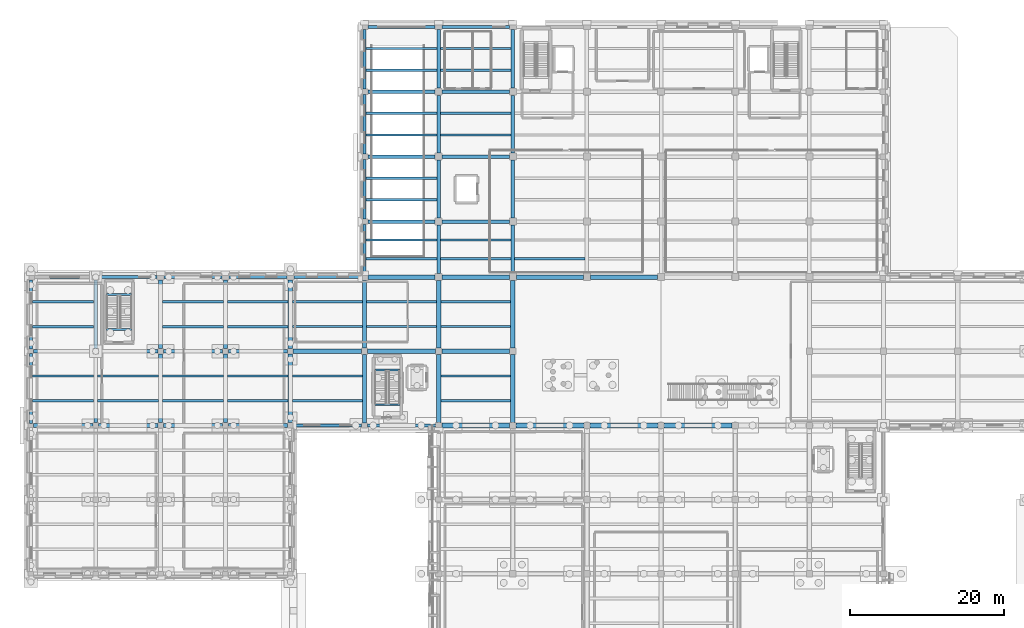
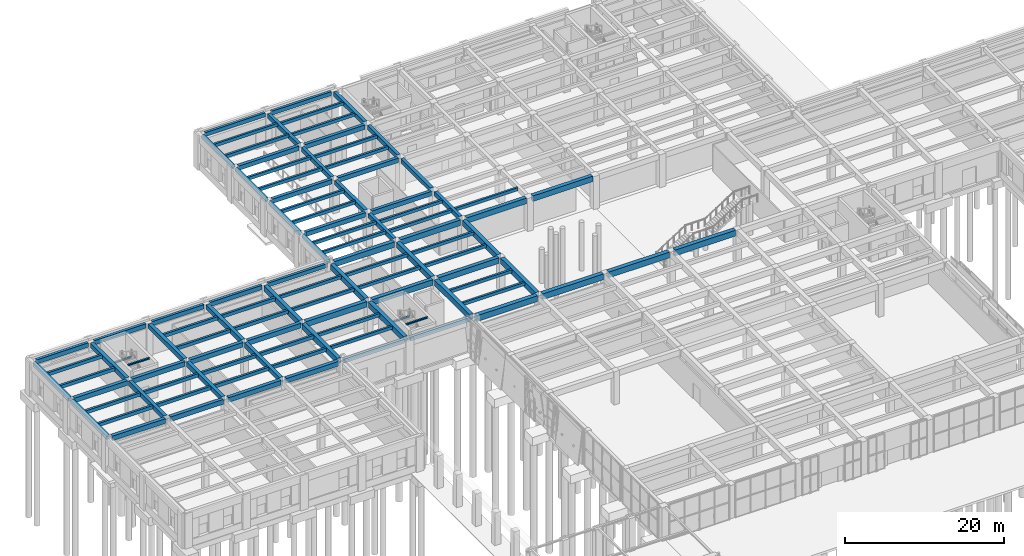
# One storey, part 21 of 51: 105 beams.
"""IFC4 building model written with IfcOpenShell, lengths in metres."""

from ifc_helpers import new_model, si_unit, direction, frame, origin, origin_2d, place, context, subcontext, project, spatial, rectangle, i_section, extrude, material, material_profile, profile_set, type_object, element, save


model = new_model("IFC4")

# Units and contexts
model_context = context("Model", 3, precision=1e-05, world=origin(), true_north=direction((0.0, 1.0)))
body_context = subcontext(model_context, "Body", "Model", "MODEL_VIEW")
ifc_project = project(units=[si_unit("LENGTHUNIT", "METRE"), si_unit("AREAUNIT", "SQUARE_METRE"), si_unit("VOLUMEUNIT", "CUBIC_METRE"), si_unit("PLANEANGLEUNIT", "RADIAN"), si_unit("MASSUNIT", "GRAM", prefix="KILO")], contexts=[model_context])

# Site, building, storey
site_placement = place(None, origin())
site = spatial("IfcSite", under=ifc_project, at=site_placement, CompositionType="ELEMENT")
building_placement = place(site_placement, origin())
building = spatial("IfcBuilding", under=site, at=building_placement, Name="Bempovik Park Faculty of Sciences", CompositionType="ELEMENT")
storey_placement = place(building_placement, origin())
storey = spatial("IfcBuildingStorey", under=building, at=storey_placement, Name="L00", CompositionType="ELEMENT", Elevation=0.0)

# Beams
ifc_material_1 = material(Name="Concrete C35/45", Category="concrete")
ifc_material_profile_1 = material_profile(ifc_material_1, rectangle(XDim=0.320068359375, YDim=0.52001953125, at=origin_2d()), Name="RC 320x520")
ifc_profile_set_1 = profile_set([ifc_material_profile_1], Name="Concrete C35/45")
beam_type_1 = type_object("IfcBeamType", Name="B-028 RC 320x520", PredefinedType="JOIST", material=ifc_profile_set_1)
for number, where, z_axis, x_axis, name in (
    (1, (7.406005859375, 71.0, 4.820068359375), (1.0, 0.0, 0.0), (0.0, 1.0, 0.0), "L00 Secondary Joist (7.2-15.6, y=71.00)"),
    (2, (7.406005859375, 74.199951171875, 4.820068359375), (1.0, 0.0, 0.0), (0.0, 1.0, 0.0), "L00 Secondary Joist (7.2-15.6, y=74.20)"),
    (3, (7.406005859375, 80.60009765625, 4.820068359375), (1.0, 0.0, 0.0), (0.0, 1.0, 0.0), "L00 Secondary Joist (7.2-15.6, y=80.60)"),
    (4, (7.406005859375, 83.800048828125, 4.820068359375), (1.0, 0.0, 0.0), (0.0, 1.0, 0.0), "L00 Secondary Joist (7.2-15.6, y=83.80)"),
):
    element("IfcBeam", number, at=place(storey_placement, frame(where, z_axis=z_axis, x_axis=x_axis)), inside=storey, type_object=beam_type_1, Name=name, PredefinedType="JOIST", context=body_context, shape_type="SweptSolid", body=[
        extrude(rectangle(XDim=0.320068359375, YDim=0.52001953125, at=origin_2d()), origin(), (0.0, 0.0, 1.0), 7.93798828125),
    ])
for number, where, z_axis, x_axis, name in (
    (5, (15.85595703125, 71.0, 4.820068359375), (1.0, 0.0, 0.0), (0.0, 1.0, 0.0), "L00 Secondary Joist (15.6-24.0, y=71.00)"),
    (6, (15.85595703125, 74.199951171875, 4.820068359375), (1.0, 0.0, 0.0), (0.0, 1.0, 0.0), "L00 Secondary Joist (15.6-24.0, y=74.20)"),
    (7, (24.256103515625, 71.0, 4.820068359375), (1.0, 0.0, 0.0), (0.0, 1.0, 0.0), "L00 Secondary Joist (24.0-32.4, y=71.00)"),
    (8, (24.256103515625, 74.199951171875, 4.820068359375), (1.0, 0.0, 0.0), (0.0, 1.0, 0.0), "L00 Secondary Joist (24.0-32.4, y=74.20)"),
    (9, (24.256103515625, 80.60009765625, 4.820068359375), (1.0, 0.0, 0.0), (0.0, 1.0, 0.0), "L00 Secondary Joist (24.0-32.4, y=80.60)"),
    (10, (24.256103515625, 83.800048828125, 4.820068359375), (1.0, 0.0, 0.0), (0.0, 1.0, 0.0), "L00 Secondary Joist (24.0-32.4, y=83.80)"),
):
    element("IfcBeam", number, at=place(storey_placement, frame(where, z_axis=z_axis, x_axis=x_axis)), inside=storey, type_object=beam_type_1, Name=name, PredefinedType="JOIST", context=body_context, shape_type="SweptSolid", body=[
        extrude(rectangle(XDim=0.320068359375, YDim=0.52001953125, at=origin_2d()), origin(), (0.0, 0.0, 1.0), 7.887939453125),
    ])
for number, where, z_axis, x_axis, name in (
    (11, (32.656005859375, 71.0, 4.820068359375), (1.0, 0.0, 0.0), (0.0, 1.0, 0.0), "L00 Secondary Joist (32.4-40.8, y=71.00)"),
    (12, (32.656005859375, 74.199951171875, 4.820068359375), (1.0, 0.0, 0.0), (0.0, 1.0, 0.0), "L00 Secondary Joist (32.4-40.8, y=74.20)"),
    (13, (32.656005859375, 80.60009765625, 4.820068359375), (1.0, 0.0, 0.0), (0.0, 1.0, 0.0), "L00 Secondary Joist (32.4-40.8, y=80.60)"),
    (14, (32.656005859375, 83.800048828125, 4.820068359375), (1.0, 0.0, 0.0), (0.0, 1.0, 0.0), "L00 Secondary Joist (32.4-40.8, y=83.80)"),
):
    element("IfcBeam", number, at=place(storey_placement, frame(where, z_axis=z_axis, x_axis=x_axis)), inside=storey, type_object=beam_type_1, Name=name, PredefinedType="JOIST", context=body_context, shape_type="SweptSolid", body=[
        extrude(rectangle(XDim=0.320068359375, YDim=0.52001953125, at=origin_2d()), origin(), (0.0, 0.0, 1.0), 7.863037109375),
    ])
ifc_material_profile_2 = material_profile(ifc_material_1, rectangle(XDim=0.3798828125, YDim=0.60009765625, at=origin_2d()), Name="RC 380x600")
ifc_profile_set_2 = profile_set([ifc_material_profile_2], Name="Concrete C35/45")
beam_type_2 = type_object("IfcBeamType", Name="B-032 RC 380x600", PredefinedType="SPANDREL", material=ifc_profile_set_2)
beam_1_placement = place(storey_placement, frame((41.166015625, 67.800048828125, 4.780029296875), z_axis=(1.0, 0.0, 0.0), x_axis=(0.0, 1.0, 0.0)))
element("IfcBeam", 15, at=beam_1_placement, inside=storey, type_object=beam_type_2, Name="L00 Beam X (40.8-50.4, y=67.8)", PredefinedType="SPANDREL", context=body_context, shape_type="SweptSolid", body=[
    extrude(rectangle(XDim=0.3798828125, YDim=0.60009765625, at=origin_2d()), origin(), (0.0, 0.0, 1.0), 8.827880859375),
])
beam_2_placement = place(storey_placement, frame((50.805908203125, 67.800048828125, 4.780029296875), z_axis=(1.0, 0.0, 0.0), x_axis=(0.0, 1.0, 0.0)))
element("IfcBeam", 16, at=beam_2_placement, inside=storey, type_object=beam_type_2, Name="L00 Beam X (50.4-60.0, y=67.8)", PredefinedType="SPANDREL", context=body_context, shape_type="SweptSolid", body=[
    extrude(rectangle(XDim=0.3798828125, YDim=0.60009765625, at=origin_2d()), origin(), (0.0, 0.0, 1.0), 8.7880859375),
])
for number, where, z_axis, x_axis, name in (
    (17, (41.256103515625, 87.0, 4.780029296875), (1.0, 0.0, 0.0), (0.0, 1.0, 0.0), "L00 Beam X (40.8-50.4, y=87.0)"),
    (18, (50.85595703125, 119.39990234375, 4.8798828125), (1.0, 0.0, 0.0), (0.0, 1.0, 0.0), "L00 Beam X (50.4-60.0, y=119.4)"),
    (19, (60.4560546875, 119.39990234375, 4.780029296875), (1.0, 0.0, 0.0), (0.0, 1.0, 0.0), "L00 Beam X (60.0-69.6, y=119.4)"),
):
    element("IfcBeam", number, at=place(storey_placement, frame(where, z_axis=z_axis, x_axis=x_axis)), inside=storey, type_object=beam_type_2, Name=name, PredefinedType="SPANDREL", context=body_context, shape_type="SweptSolid", body=[
        extrude(rectangle(XDim=0.3798828125, YDim=0.60009765625, at=origin_2d()), origin(), (0.0, 0.0, 1.0), 8.68798828125),
    ])
beam_3_placement = place(storey_placement, frame((50.39990234375, 87.4560546875, 4.8798828125), z_axis=(0.0, 1.0, 0.0), x_axis=(-1.0, 0.0, 0.0)))
element("IfcBeam", 20, at=beam_3_placement, inside=storey, type_object=beam_type_2, Name="L00 Beam Y (x=50.4, 87.0-94.2)", PredefinedType="SPANDREL", context=body_context, shape_type="SweptSolid", body=[
    extrude(rectangle(XDim=0.3798828125, YDim=0.60009765625, at=origin_2d()), origin(), (0.0, 0.0, 1.0), 6.387939453125),
])
for number, where, z_axis, x_axis, name in (
    (21, (50.39990234375, 94.555908203125, 4.8798828125), (0.0, 1.0, 0.0), (-1.0, 0.0, 0.0), "L00 Beam Y (x=50.4, 94.2-102.6)"),
    (22, (50.39990234375, 102.9560546875, 4.8798828125), (0.0, 1.0, 0.0), (-1.0, 0.0, 0.0), "L00 Beam Y (x=50.4, 102.6-111.0)"),
    (23, (50.39990234375, 111.35595703125, 4.8798828125), (0.0, 1.0, 0.0), (-1.0, 0.0, 0.0), "L00 Beam Y (x=50.4, 111.0-119.4)"),
):
    element("IfcBeam", number, at=place(storey_placement, frame(where, z_axis=z_axis, x_axis=x_axis)), inside=storey, type_object=beam_type_2, Name=name, PredefinedType="SPANDREL", context=body_context, shape_type="SweptSolid", body=[
        extrude(rectangle(XDim=0.3798828125, YDim=0.60009765625, at=origin_2d()), origin(), (0.0, 0.0, 1.0), 7.68798828125),
    ])
ifc_material_profile_3 = material_profile(ifc_material_1, rectangle(XDim=0.300048828125, YDim=0.47998046875, at=origin_2d()), Name="RC 300x480")
ifc_profile_set_3 = profile_set([ifc_material_profile_3], Name="Concrete C35/45")
beam_type_3 = type_object("IfcBeamType", Name="B-039 RC 300x480", PredefinedType="JOIST", material=ifc_profile_set_3)
for number, where, z_axis, x_axis, name in (
    (24, (41.0810546875, 71.0, 4.840087890625), (1.0, 0.0, 0.0), (0.0, 1.0, 0.0), "L00 Secondary Joist (40.8-50.4, y=71.00)"),
    (25, (41.0810546875, 74.199951171875, 4.840087890625), (1.0, 0.0, 0.0), (0.0, 1.0, 0.0), "L00 Secondary Joist (40.8-50.4, y=74.20)"),
    (26, (41.0810546875, 80.60009765625, 4.840087890625), (1.0, 0.0, 0.0), (0.0, 1.0, 0.0), "L00 Secondary Joist (40.8-50.4, y=80.60)"),
    (27, (41.0810546875, 83.800048828125, 4.840087890625), (1.0, 0.0, 0.0), (0.0, 1.0, 0.0), "L00 Secondary Joist (40.8-50.4, y=83.80)"),
):
    element("IfcBeam", number, at=place(storey_placement, frame(where, z_axis=z_axis, x_axis=x_axis)), inside=storey, type_object=beam_type_3, Name=name, PredefinedType="JOIST", context=body_context, shape_type="SweptSolid", body=[
        extrude(rectangle(XDim=0.300048828125, YDim=0.47998046875, at=origin_2d()), origin(), (0.0, 0.0, 1.0), 9.037841796875),
    ])
for number, where, z_axis, x_axis, name in (
    (28, (50.680908203125, 80.60009765625, 4.840087890625), (1.0, 0.0, 0.0), (0.0, 1.0, 0.0), "L00 Secondary Joist (50.4-60.0, y=80.60)"),
    (29, (50.680908203125, 83.800048828125, 4.840087890625), (1.0, 0.0, 0.0), (0.0, 1.0, 0.0), "L00 Secondary Joist (50.4-60.0, y=83.80)"),
):
    element("IfcBeam", number, at=place(storey_placement, frame(where, z_axis=z_axis, x_axis=x_axis)), inside=storey, type_object=beam_type_3, Name=name, PredefinedType="JOIST", context=body_context, shape_type="SweptSolid", body=[
        extrude(rectangle(XDim=0.300048828125, YDim=0.47998046875, at=origin_2d()), origin(), (0.0, 0.0, 1.0), 9.0380859375),
    ])
for number, where, z_axis, x_axis, name in (
    (30, (50.595947265625, 89.39990234375, 4.93994140625), (1.0, 0.0, 0.0), (0.0, 1.0, 0.0), "L00 Secondary Joist (50.4-60.0, y=89.40)"),
    (31, (50.595947265625, 91.800048828125, 4.93994140625), (1.0, 0.0, 0.0), (0.0, 1.0, 0.0), "L00 Secondary Joist (50.4-60.0, y=91.80)"),
    (32, (50.595947265625, 97.0, 4.93994140625), (1.0, 0.0, 0.0), (0.0, 1.0, 0.0), "L00 Secondary Joist (50.4-60.0, y=97.00)"),
    (33, (50.595947265625, 99.800048828125, 4.93994140625), (1.0, 0.0, 0.0), (0.0, 1.0, 0.0), "L00 Secondary Joist (50.4-60.0, y=99.80)"),
    (34, (50.595947265625, 105.39990234375, 4.93994140625), (1.0, 0.0, 0.0), (0.0, 1.0, 0.0), "L00 Secondary Joist (50.4-60.0, y=105.40)"),
    (35, (50.595947265625, 108.199951171875, 4.93994140625), (1.0, 0.0, 0.0), (0.0, 1.0, 0.0), "L00 Secondary Joist (50.4-60.0, y=108.20)"),
    (36, (50.595947265625, 113.800048828125, 4.93994140625), (1.0, 0.0, 0.0), (0.0, 1.0, 0.0), "L00 Secondary Joist (50.4-60.0, y=113.80)"),
    (37, (50.595947265625, 116.60009765625, 4.93994140625), (1.0, 0.0, 0.0), (0.0, 1.0, 0.0), "L00 Secondary Joist (50.4-60.0, y=116.60)"),
):
    element("IfcBeam", number, at=place(storey_placement, frame(where, z_axis=z_axis, x_axis=x_axis)), inside=storey, type_object=beam_type_3, Name=name, PredefinedType="JOIST", context=body_context, shape_type="SweptSolid", body=[
        extrude(rectangle(XDim=0.300048828125, YDim=0.47998046875, at=origin_2d()), origin(), (0.0, 0.0, 1.0), 9.173095703125),
    ])
for number, where, z_axis, x_axis, name in (
    (38, (60.281005859375, 71.0, 4.840087890625), (1.0, 0.0, 0.0), (0.0, 1.0, 0.0), "L00 Secondary Joist (60.0-69.6, y=71.00)"),
    (39, (60.281005859375, 74.199951171875, 4.840087890625), (1.0, 0.0, 0.0), (0.0, 1.0, 0.0), "L00 Secondary Joist (60.0-69.6, y=74.20)"),
    (40, (60.281005859375, 80.60009765625, 4.840087890625), (1.0, 0.0, 0.0), (0.0, 1.0, 0.0), "L00 Secondary Joist (60.0-69.6, y=80.60)"),
    (41, (60.281005859375, 83.800048828125, 4.840087890625), (1.0, 0.0, 0.0), (0.0, 1.0, 0.0), "L00 Secondary Joist (60.0-69.6, y=83.80)"),
):
    element("IfcBeam", number, at=place(storey_placement, frame(where, z_axis=z_axis, x_axis=x_axis)), inside=storey, type_object=beam_type_3, Name=name, PredefinedType="JOIST", context=body_context, shape_type="SweptSolid", body=[
        extrude(rectangle(XDim=0.300048828125, YDim=0.47998046875, at=origin_2d()), origin(), (0.0, 0.0, 1.0), 9.0380859375),
    ])
for number, where, z_axis, x_axis, name in (
    (42, (60.23095703125, 89.39990234375, 4.840087890625), (1.0, 0.0, 0.0), (0.0, 1.0, 0.0), "L00 Secondary Joist (60.0-69.6, y=89.40)"),
    (43, (60.23095703125, 91.800048828125, 4.840087890625), (1.0, 0.0, 0.0), (0.0, 1.0, 0.0), "L00 Secondary Joist (60.0-69.6, y=91.80)"),
    (44, (60.23095703125, 105.39990234375, 4.840087890625), (1.0, 0.0, 0.0), (0.0, 1.0, 0.0), "L00 Secondary Joist (60.0-69.6, y=105.40)"),
    (45, (60.23095703125, 108.199951171875, 4.840087890625), (1.0, 0.0, 0.0), (0.0, 1.0, 0.0), "L00 Secondary Joist (60.0-69.6, y=108.20)"),
    (46, (60.23095703125, 113.800048828125, 4.840087890625), (1.0, 0.0, 0.0), (0.0, 1.0, 0.0), "L00 Secondary Joist (60.0-69.6, y=113.80)"),
    (47, (60.23095703125, 116.60009765625, 4.840087890625), (1.0, 0.0, 0.0), (0.0, 1.0, 0.0), "L00 Secondary Joist (60.0-69.6, y=116.60)"),
    (48, (69.8310546875, 89.39990234375, 4.840087890625), (1.0, 0.0, 0.0), (0.0, 1.0, 0.0), "L00 Secondary Joist (69.6-79.2, y=89.40)"),
):
    element("IfcBeam", number, at=place(storey_placement, frame(where, z_axis=z_axis, x_axis=x_axis)), inside=storey, type_object=beam_type_3, Name=name, PredefinedType="JOIST", context=body_context, shape_type="SweptSolid", body=[
        extrude(rectangle(XDim=0.300048828125, YDim=0.47998046875, at=origin_2d()), origin(), (0.0, 0.0, 1.0), 9.137939453125),
    ])
ifc_material_2 = material(Name="Steel S355", Category="steel")
ifc_material_profile_4 = material_profile(ifc_material_2, i_section(OverallWidth=0.239990234375, OverallDepth=0.22998046875, WebThickness=0.007568359375, FlangeThickness=0.011962890625, at=origin_2d()), Name="HEA 240")
ifc_profile_set_4 = profile_set([ifc_material_profile_4], Name="Steel S355")
beam_type_4 = type_object("IfcBeamType", Name="B-070 HEA 240", PredefinedType="BEAM", material=ifc_profile_set_4)
for number, where, z_axis, x_axis, name in (
    (49, (17.006103515625, 84.74365234375, 2.385009765625), (1.0, 0.0, 0.0), (0.0, 1.0, 0.0), "L00 ST-3 Half-Landing Trimmer Beam"),
    (50, (17.006103515625, 80.22509765625, 4.965087890625), (1.0, 0.0, 0.0), (0.0, 1.0, 0.0), "L01 ST-3 Floor Landing Trimmer Beam"),
    (51, (51.756103515625, 74.99365234375, 2.385009765625), (1.0, 0.0, 0.0), (0.0, 1.0, 0.0), "L00 ST-4 Half-Landing Trimmer Beam"),
    (52, (51.756103515625, 70.47509765625, 4.965087890625), (1.0, 0.0, 0.0), (0.0, 1.0, 0.0), "L01 ST-4 Floor Landing Trimmer Beam"),
):
    element("IfcBeam", number, at=place(storey_placement, frame(where, z_axis=z_axis, x_axis=x_axis)), inside=storey, type_object=beam_type_4, Name=name, PredefinedType="BEAM", context=body_context, shape_type="SweptSolid", body=[
        extrude(i_section(OverallWidth=0.239990234375, OverallDepth=0.22998046875, WebThickness=0.007568359375, FlangeThickness=0.011962890625, at=origin_2d()), origin(), (0.0, 0.0, 1.0), 3.23779296875),
    ])
ifc_material_3 = material(Name="Concrete C40/50", Category="concrete")
ifc_material_profile_5 = material_profile(ifc_material_3, rectangle(XDim=0.550048828125, YDim=0.85009765625, at=origin_2d()), Name="RC 550x850")
ifc_profile_set_5 = profile_set([ifc_material_profile_5], Name="Concrete C40/50")
beam_type_5 = type_object("IfcBeamType", Name="B-080 RC 550x850", PredefinedType="BEAM", material=ifc_profile_set_5)
beam_4_placement = place(storey_placement, frame((41.166015625, 77.39990234375, 4.655029296875), z_axis=(1.0, 0.0, 0.0), x_axis=(0.0, 1.0, 0.0)))
element("IfcBeam", 53, at=beam_4_placement, inside=storey, type_object=beam_type_5, Name="L00 Beam X (40.8-50.4, y=77.4)", PredefinedType="BEAM", context=body_context, shape_type="SweptSolid", body=[
    extrude(rectangle(XDim=0.550048828125, YDim=0.85009765625, at=origin_2d()), origin(), (0.0, 0.0, 1.0), 8.827880859375),
])
for number, where, z_axis, x_axis, name in (
    (54, (50.805908203125, 77.39990234375, 4.655029296875), (1.0, 0.0, 0.0), (0.0, 1.0, 0.0), "L00 Beam X (50.4-60.0, y=77.4)"),
    (55, (60.406005859375, 77.39990234375, 4.655029296875), (1.0, 0.0, 0.0), (0.0, 1.0, 0.0), "L00 Beam X (60.0-69.6, y=77.4)"),
):
    element("IfcBeam", number, at=place(storey_placement, frame(where, z_axis=z_axis, x_axis=x_axis)), inside=storey, type_object=beam_type_5, Name=name, PredefinedType="BEAM", context=body_context, shape_type="SweptSolid", body=[
        extrude(rectangle(XDim=0.550048828125, YDim=0.85009765625, at=origin_2d()), origin(), (0.0, 0.0, 1.0), 8.7880859375),
    ])
for number, where, z_axis, x_axis, name in (
    (56, (50.85595703125, 87.0, 4.655029296875), (1.0, 0.0, 0.0), (0.0, 1.0, 0.0), "L00 Beam X (50.4-60.0, y=87.0)"),
    (57, (60.4560546875, 87.0, 4.655029296875), (1.0, 0.0, 0.0), (0.0, 1.0, 0.0), "L00 Beam X (60.0-69.6, y=87.0)"),
    (58, (70.055908203125, 87.0, 4.655029296875), (1.0, 0.0, 0.0), (0.0, 1.0, 0.0), "L00 Beam X (69.6-79.2, y=87.0)"),
    (59, (79.656005859375, 87.0, 4.655029296875), (1.0, 0.0, 0.0), (0.0, 1.0, 0.0), "L00 Beam X (79.2-88.8, y=87.0)"),
):
    element("IfcBeam", number, at=place(storey_placement, frame(where, z_axis=z_axis, x_axis=x_axis)), inside=storey, type_object=beam_type_5, Name=name, PredefinedType="BEAM", context=body_context, shape_type="SweptSolid", body=[
        extrude(rectangle(XDim=0.550048828125, YDim=0.85009765625, at=origin_2d()), origin(), (0.0, 0.0, 1.0), 8.68798828125),
    ])
beam_5_placement = place(storey_placement, frame((40.800048828125, 68.166015625, 4.655029296875), z_axis=(0.0, 1.0, 0.0), x_axis=(-1.0, 0.0, 0.0)))
element("IfcBeam", 60, at=beam_5_placement, inside=storey, type_object=beam_type_5, Name="L00 Beam Y (x=40.8, 67.8-77.4)", PredefinedType="BEAM", context=body_context, shape_type="SweptSolid", body=[
    extrude(rectangle(XDim=0.550048828125, YDim=0.85009765625, at=origin_2d()), origin(), (0.0, 0.0, 1.0), 8.867919921875),
])
beam_6_placement = place(storey_placement, frame((40.800048828125, 77.76611328125, 4.655029296875), z_axis=(0.0, 1.0, 0.0), x_axis=(-1.0, 0.0, 0.0)))
element("IfcBeam", 61, at=beam_6_placement, inside=storey, type_object=beam_type_5, Name="L00 Beam Y (x=40.8, 77.4-87.0)", PredefinedType="BEAM", context=body_context, shape_type="SweptSolid", body=[
    extrude(rectangle(XDim=0.550048828125, YDim=0.85009765625, at=origin_2d()), origin(), (0.0, 0.0, 1.0), 8.8779296875),
])
beam_7_placement = place(storey_placement, frame((50.39990234375, 68.10595703125, 4.655029296875), z_axis=(0.0, 1.0, 0.0), x_axis=(-1.0, 0.0, 0.0)))
element("IfcBeam", 62, at=beam_7_placement, inside=storey, type_object=beam_type_5, Name="L00 Beam Y (x=50.4, 67.8-77.4)", PredefinedType="BEAM", context=body_context, shape_type="SweptSolid", body=[
    extrude(rectangle(XDim=0.550048828125, YDim=0.85009765625, at=origin_2d()), origin(), (0.0, 0.0, 1.0), 8.887939453125),
])
beam_8_placement = place(storey_placement, frame((50.39990234375, 77.805908203125, 4.655029296875), z_axis=(0.0, 1.0, 0.0), x_axis=(-1.0, 0.0, 0.0)))
element("IfcBeam", 63, at=beam_8_placement, inside=storey, type_object=beam_type_5, Name="L00 Beam Y (x=50.4, 77.4-87.0)", PredefinedType="BEAM", context=body_context, shape_type="SweptSolid", body=[
    extrude(rectangle(XDim=0.550048828125, YDim=0.85009765625, at=origin_2d()), origin(), (0.0, 0.0, 1.0), 8.738037109375),
])
beam_9_placement = place(storey_placement, frame((60.0, 68.2060546875, 4.655029296875), z_axis=(0.0, 1.0, 0.0), x_axis=(-1.0, 0.0, 0.0)))
element("IfcBeam", 64, at=beam_9_placement, inside=storey, type_object=beam_type_5, Name="L00 Beam Y (x=60.0, 67.8-77.4)", PredefinedType="BEAM", context=body_context, shape_type="SweptSolid", body=[
    extrude(rectangle(XDim=0.550048828125, YDim=0.85009765625, at=origin_2d()), origin(), (0.0, 0.0, 1.0), 8.787841796875),
])
beam_10_placement = place(storey_placement, frame((60.0, 77.805908203125, 4.655029296875), z_axis=(0.0, 1.0, 0.0), x_axis=(-1.0, 0.0, 0.0)))
element("IfcBeam", 65, at=beam_10_placement, inside=storey, type_object=beam_type_5, Name="L00 Beam Y (x=60.0, 77.4-87.0)", PredefinedType="BEAM", context=body_context, shape_type="SweptSolid", body=[
    extrude(rectangle(XDim=0.550048828125, YDim=0.85009765625, at=origin_2d()), origin(), (0.0, 0.0, 1.0), 8.738037109375),
])
beam_11_placement = place(storey_placement, frame((69.60009765625, 68.2060546875, 4.655029296875), z_axis=(0.0, 1.0, 0.0), x_axis=(-1.0, 0.0, 0.0)))
element("IfcBeam", 66, at=beam_11_placement, inside=storey, type_object=beam_type_5, Name="L00 Beam Y (x=69.6, 67.8-77.4)", PredefinedType="BEAM", context=body_context, shape_type="SweptSolid", body=[
    extrude(rectangle(XDim=0.550048828125, YDim=0.85009765625, at=origin_2d()), origin(), (0.0, 0.0, 1.0), 8.787841796875),
])
beam_12_placement = place(storey_placement, frame((69.60009765625, 77.805908203125, 4.655029296875), z_axis=(0.0, 1.0, 0.0), x_axis=(-1.0, 0.0, 0.0)))
element("IfcBeam", 67, at=beam_12_placement, inside=storey, type_object=beam_type_5, Name="L00 Beam Y (x=69.6, 77.4-87.0)", PredefinedType="BEAM", context=body_context, shape_type="SweptSolid", body=[
    extrude(rectangle(XDim=0.550048828125, YDim=0.85009765625, at=origin_2d()), origin(), (0.0, 0.0, 1.0), 8.738037109375),
])
ifc_material_profile_6 = material_profile(ifc_material_1, rectangle(XDim=0.5, YDim=0.719970703125, at=origin_2d()), Name="RC 500x720")
ifc_profile_set_6 = profile_set([ifc_material_profile_6], Name="Concrete C35/45")
beam_type_6 = type_object("IfcBeamType", Name="B-092 RC 500x720", PredefinedType="BEAM", material=ifc_profile_set_6)
for number, where, z_axis, x_axis, name in (
    (68, (7.56591796875, 67.800048828125, 4.719970703125), (1.0, 0.0, 0.0), (0.0, 1.0, 0.0), "L00 Beam X (7.2-15.6, y=67.8)"),
    (69, (15.966064453125, 67.800048828125, 4.719970703125), (1.0, 0.0, 0.0), (0.0, 1.0, 0.0), "L00 Beam X (15.6-24.0, y=67.8)"),
    (70, (24.365966796875, 67.800048828125, 4.719970703125), (1.0, 0.0, 0.0), (0.0, 1.0, 0.0), "L00 Beam X (24.0-32.4, y=67.8)"),
    (71, (32.76611328125, 67.800048828125, 4.719970703125), (1.0, 0.0, 0.0), (0.0, 1.0, 0.0), "L00 Beam X (32.4-40.8, y=67.8)"),
    (72, (7.56591796875, 77.39990234375, 4.719970703125), (1.0, 0.0, 0.0), (0.0, 1.0, 0.0), "L00 Beam X (7.2-15.6, y=77.4)"),
    (73, (15.966064453125, 77.39990234375, 4.719970703125), (1.0, 0.0, 0.0), (0.0, 1.0, 0.0), "L00 Beam X (15.6-24.0, y=77.4)"),
    (74, (24.365966796875, 77.39990234375, 4.719970703125), (1.0, 0.0, 0.0), (0.0, 1.0, 0.0), "L00 Beam X (24.0-32.4, y=77.4)"),
    (75, (32.76611328125, 77.39990234375, 4.719970703125), (1.0, 0.0, 0.0), (0.0, 1.0, 0.0), "L00 Beam X (32.4-40.8, y=77.4)"),
):
    element("IfcBeam", number, at=place(storey_placement, frame(where, z_axis=z_axis, x_axis=x_axis)), inside=storey, type_object=beam_type_6, Name=name, PredefinedType="BEAM", context=body_context, shape_type="SweptSolid", body=[
        extrude(rectangle(XDim=0.5, YDim=0.719970703125, at=origin_2d()), origin(), (0.0, 0.0, 1.0), 7.66796875),
    ])
beam_13_placement = place(storey_placement, frame((15.60009765625, 68.166015625, 4.719970703125), z_axis=(0.0, 1.0, 0.0), x_axis=(-1.0, 0.0, 0.0)))
element("IfcBeam", 76, at=beam_13_placement, inside=storey, type_object=beam_type_6, Name="L00 Beam Y (x=15.6, 67.8-77.4)", PredefinedType="BEAM", context=body_context, shape_type="SweptSolid", body=[
    extrude(rectangle(XDim=0.5, YDim=0.719970703125, at=origin_2d()), origin(), (0.0, 0.0, 1.0), 8.867919921875),
])
beam_14_placement = place(storey_placement, frame((15.60009765625, 77.76611328125, 4.719970703125), z_axis=(0.0, 1.0, 0.0), x_axis=(-1.0, 0.0, 0.0)))
element("IfcBeam", 77, at=beam_14_placement, inside=storey, type_object=beam_type_6, Name="L00 Beam Y (x=15.6, 77.4-87.0)", PredefinedType="BEAM", context=body_context, shape_type="SweptSolid", body=[
    extrude(rectangle(XDim=0.5, YDim=0.719970703125, at=origin_2d()), origin(), (0.0, 0.0, 1.0), 8.8779296875),
])
beam_15_placement = place(storey_placement, frame((24.0, 68.166015625, 4.719970703125), z_axis=(0.0, 1.0, 0.0), x_axis=(-1.0, 0.0, 0.0)))
element("IfcBeam", 78, at=beam_15_placement, inside=storey, type_object=beam_type_6, Name="L00 Beam Y (x=24.0, 67.8-77.4)", PredefinedType="BEAM", context=body_context, shape_type="SweptSolid", body=[
    extrude(rectangle(XDim=0.5, YDim=0.719970703125, at=origin_2d()), origin(), (0.0, 0.0, 1.0), 8.867919921875),
])
beam_16_placement = place(storey_placement, frame((24.0, 77.76611328125, 4.719970703125), z_axis=(0.0, 1.0, 0.0), x_axis=(-1.0, 0.0, 0.0)))
element("IfcBeam", 79, at=beam_16_placement, inside=storey, type_object=beam_type_6, Name="L00 Beam Y (x=24.0, 77.4-87.0)", PredefinedType="BEAM", context=body_context, shape_type="SweptSolid", body=[
    extrude(rectangle(XDim=0.5, YDim=0.719970703125, at=origin_2d()), origin(), (0.0, 0.0, 1.0), 8.8779296875),
])
beam_17_placement = place(storey_placement, frame((32.39990234375, 68.166015625, 4.719970703125), z_axis=(0.0, 1.0, 0.0), x_axis=(-1.0, 0.0, 0.0)))
element("IfcBeam", 80, at=beam_17_placement, inside=storey, type_object=beam_type_6, Name="L00 Beam Y (x=32.4, 67.8-77.4)", PredefinedType="BEAM", context=body_context, shape_type="SweptSolid", body=[
    extrude(rectangle(XDim=0.5, YDim=0.719970703125, at=origin_2d()), origin(), (0.0, 0.0, 1.0), 8.867919921875),
])
beam_18_placement = place(storey_placement, frame((32.39990234375, 77.76611328125, 4.719970703125), z_axis=(0.0, 1.0, 0.0), x_axis=(-1.0, 0.0, 0.0)))
element("IfcBeam", 81, at=beam_18_placement, inside=storey, type_object=beam_type_6, Name="L00 Beam Y (x=32.4, 77.4-87.0)", PredefinedType="BEAM", context=body_context, shape_type="SweptSolid", body=[
    extrude(rectangle(XDim=0.5, YDim=0.719970703125, at=origin_2d()), origin(), (0.0, 0.0, 1.0), 8.8779296875),
])
ifc_material_profile_7 = material_profile(ifc_material_1, rectangle(XDim=0.39990234375, YDim=0.659912109375, at=origin_2d()), Name="RC 400x660")
ifc_profile_set_7 = profile_set([ifc_material_profile_7], Name="Concrete C35/45")
beam_type_7 = type_object("IfcBeamType", Name="B-097 RC 400x660", PredefinedType="SPANDREL", material=ifc_profile_set_7)
for number, where, z_axis, x_axis, name in (
    (82, (7.656005859375, 87.0, 4.75), (1.0, 0.0, 0.0), (0.0, 1.0, 0.0), "L00 Beam X (7.2-15.6, y=87.0)"),
    (83, (16.055908203125, 87.0, 4.75), (1.0, 0.0, 0.0), (0.0, 1.0, 0.0), "L00 Beam X (15.6-24.0, y=87.0)"),
    (84, (24.4560546875, 87.0, 4.75), (1.0, 0.0, 0.0), (0.0, 1.0, 0.0), "L00 Beam X (24.0-32.4, y=87.0)"),
    (85, (32.85595703125, 87.0, 4.75), (1.0, 0.0, 0.0), (0.0, 1.0, 0.0), "L00 Beam X (32.4-40.8, y=87.0)"),
):
    element("IfcBeam", number, at=place(storey_placement, frame(where, z_axis=z_axis, x_axis=x_axis)), inside=storey, type_object=beam_type_7, Name=name, PredefinedType="SPANDREL", context=body_context, shape_type="SweptSolid", body=[
        extrude(rectangle(XDim=0.39990234375, YDim=0.659912109375, at=origin_2d()), origin(), (0.0, 0.0, 1.0), 7.488037109375),
    ])
beam_19_placement = place(storey_placement, frame((7.199951171875, 68.075927734375, 4.75), z_axis=(0.0, 1.0, 0.0), x_axis=(-1.0, 0.0, 0.0)))
element("IfcBeam", 86, at=beam_19_placement, inside=storey, type_object=beam_type_7, Name="L00 Beam Y (x=7.2, 67.8-77.4)", PredefinedType="SPANDREL", context=body_context, shape_type="SweptSolid", body=[
    extrude(rectangle(XDim=0.39990234375, YDim=0.659912109375, at=origin_2d()), origin(), (0.0, 0.0, 1.0), 9.048095703125),
])
beam_20_placement = place(storey_placement, frame((7.199951171875, 77.676025390625, 4.75), z_axis=(0.0, 1.0, 0.0), x_axis=(-1.0, 0.0, 0.0)))
element("IfcBeam", 87, at=beam_20_placement, inside=storey, type_object=beam_type_7, Name="L00 Beam Y (x=7.2, 77.4-87.0)", PredefinedType="SPANDREL", context=body_context, shape_type="SweptSolid", body=[
    extrude(rectangle(XDim=0.39990234375, YDim=0.659912109375, at=origin_2d()), origin(), (0.0, 0.0, 1.0), 8.968017578125),
])
ifc_material_profile_8 = material_profile(ifc_material_1, rectangle(XDim=0.449951171875, YDim=0.679931640625, at=origin_2d()), Name="RC 450x680")
ifc_profile_set_8 = profile_set([ifc_material_profile_8], Name="Concrete C35/45")
beam_type_8 = type_object("IfcBeamType", Name="B-113 RC 450x680", PredefinedType="BEAM", material=ifc_profile_set_8)
for number, where, z_axis, x_axis, name in (
    (88, (50.85595703125, 94.199951171875, 4.840087890625), (1.0, 0.0, 0.0), (0.0, 1.0, 0.0), "L00 Beam X (50.4-60.0, y=94.2)"),
    (89, (60.4560546875, 94.199951171875, 4.739990234375), (1.0, 0.0, 0.0), (0.0, 1.0, 0.0), "L00 Beam X (60.0-69.6, y=94.2)"),
    (90, (50.85595703125, 102.60009765625, 4.840087890625), (1.0, 0.0, 0.0), (0.0, 1.0, 0.0), "L00 Beam X (50.4-60.0, y=102.6)"),
    (91, (60.4560546875, 102.60009765625, 4.739990234375), (1.0, 0.0, 0.0), (0.0, 1.0, 0.0), "L00 Beam X (60.0-69.6, y=102.6)"),
    (92, (50.85595703125, 111.0, 4.840087890625), (1.0, 0.0, 0.0), (0.0, 1.0, 0.0), "L00 Beam X (50.4-60.0, y=111.0)"),
    (93, (60.4560546875, 111.0, 4.739990234375), (1.0, 0.0, 0.0), (0.0, 1.0, 0.0), "L00 Beam X (60.0-69.6, y=111.0)"),
):
    element("IfcBeam", number, at=place(storey_placement, frame(where, z_axis=z_axis, x_axis=x_axis)), inside=storey, type_object=beam_type_8, Name=name, PredefinedType="BEAM", context=body_context, shape_type="SweptSolid", body=[
        extrude(rectangle(XDim=0.449951171875, YDim=0.679931640625, at=origin_2d()), origin(), (0.0, 0.0, 1.0), 8.68798828125),
    ])
beam_21_placement = place(storey_placement, frame((60.0, 87.4560546875, 4.739990234375), z_axis=(0.0, 1.0, 0.0), x_axis=(-1.0, 0.0, 0.0)))
element("IfcBeam", 94, at=beam_21_placement, inside=storey, type_object=beam_type_8, Name="L00 Beam Y (x=60.0, 87.0-94.2)", PredefinedType="BEAM", context=body_context, shape_type="SweptSolid", body=[
    extrude(rectangle(XDim=0.449951171875, YDim=0.679931640625, at=origin_2d()), origin(), (0.0, 0.0, 1.0), 6.287841796875),
])
for number, where, z_axis, x_axis, name in (
    (95, (60.0, 94.656005859375, 4.739990234375), (0.0, 1.0, 0.0), (-1.0, 0.0, 0.0), "L00 Beam Y (x=60.0, 94.2-102.6)"),
    (96, (60.0, 103.055908203125, 4.739990234375), (0.0, 1.0, 0.0), (-1.0, 0.0, 0.0), "L00 Beam Y (x=60.0, 102.6-111.0)"),
):
    element("IfcBeam", number, at=place(storey_placement, frame(where, z_axis=z_axis, x_axis=x_axis)), inside=storey, type_object=beam_type_8, Name=name, PredefinedType="BEAM", context=body_context, shape_type="SweptSolid", body=[
        extrude(rectangle(XDim=0.449951171875, YDim=0.679931640625, at=origin_2d()), origin(), (0.0, 0.0, 1.0), 7.488037109375),
    ])
beam_22_placement = place(storey_placement, frame((60.0, 111.4560546875, 4.739990234375), z_axis=(0.0, 1.0, 0.0), x_axis=(-1.0, 0.0, 0.0)))
element("IfcBeam", 97, at=beam_22_placement, inside=storey, type_object=beam_type_8, Name="L00 Beam Y (x=60.0, 111.0-119.4)", PredefinedType="BEAM", context=body_context, shape_type="SweptSolid", body=[
    extrude(rectangle(XDim=0.449951171875, YDim=0.679931640625, at=origin_2d()), origin(), (0.0, 0.0, 1.0), 7.587890625),
])
beam_23_placement = place(storey_placement, frame((69.60009765625, 87.4560546875, 4.739990234375), z_axis=(0.0, 1.0, 0.0), x_axis=(-1.0, 0.0, 0.0)))
element("IfcBeam", 98, at=beam_23_placement, inside=storey, type_object=beam_type_8, Name="L00 Beam Y (x=69.6, 87.0-94.2)", PredefinedType="BEAM", context=body_context, shape_type="SweptSolid", body=[
    extrude(rectangle(XDim=0.449951171875, YDim=0.679931640625, at=origin_2d()), origin(), (0.0, 0.0, 1.0), 6.287841796875),
])
for number, where, z_axis, x_axis, name in (
    (99, (69.60009765625, 94.656005859375, 4.739990234375), (0.0, 1.0, 0.0), (-1.0, 0.0, 0.0), "L00 Beam Y (x=69.6, 94.2-102.6)"),
    (100, (69.60009765625, 103.055908203125, 4.739990234375), (0.0, 1.0, 0.0), (-1.0, 0.0, 0.0), "L00 Beam Y (x=69.6, 102.6-111.0)"),
):
    element("IfcBeam", number, at=place(storey_placement, frame(where, z_axis=z_axis, x_axis=x_axis)), inside=storey, type_object=beam_type_8, Name=name, PredefinedType="BEAM", context=body_context, shape_type="SweptSolid", body=[
        extrude(rectangle(XDim=0.449951171875, YDim=0.679931640625, at=origin_2d()), origin(), (0.0, 0.0, 1.0), 7.488037109375),
    ])
beam_24_placement = place(storey_placement, frame((69.60009765625, 111.4560546875, 4.739990234375), z_axis=(0.0, 1.0, 0.0), x_axis=(-1.0, 0.0, 0.0)))
element("IfcBeam", 101, at=beam_24_placement, inside=storey, type_object=beam_type_8, Name="L00 Beam Y (x=69.6, 111.0-119.4)", PredefinedType="BEAM", context=body_context, shape_type="SweptSolid", body=[
    extrude(rectangle(XDim=0.449951171875, YDim=0.679931640625, at=origin_2d()), origin(), (0.0, 0.0, 1.0), 7.587890625),
])
ifc_material_profile_9 = material_profile(ifc_material_3, rectangle(XDim=0.60009765625, YDim=0.89990234375, at=origin_2d()), Name="RC 600x900")
ifc_profile_set_9 = profile_set([ifc_material_profile_9], Name="Concrete C40/50")
beam_type_9 = type_object("IfcBeamType", Name="B-115 RC 600x900", PredefinedType="BEAM", material=ifc_profile_set_9)
beam_25_placement = place(storey_placement, frame((60.406005859375, 67.800048828125, 4.6298828125), z_axis=(1.0, 0.0, 0.0), x_axis=(0.0, 1.0, 0.0)))
element("IfcBeam", 102, at=beam_25_placement, inside=storey, type_object=beam_type_9, Name="L00 Beam X (60.0-69.6, y=67.8)", PredefinedType="BEAM", context=body_context, shape_type="SweptSolid", body=[
    extrude(rectangle(XDim=0.60009765625, YDim=0.89990234375, at=origin_2d()), origin(), (0.0, 0.0, 1.0), 8.7880859375),
])
beam_26_placement = place(storey_placement, frame((70.006103515625, 67.800048828125, 4.6298828125), z_axis=(1.0, 0.0, 0.0), x_axis=(0.0, 1.0, 0.0)))
element("IfcBeam", 103, at=beam_26_placement, inside=storey, type_object=beam_type_9, Name="L00 Beam X (69.6-79.2, y=67.8)", PredefinedType="BEAM", context=body_context, shape_type="SweptSolid", body=[
    extrude(rectangle(XDim=0.60009765625, YDim=0.89990234375, at=origin_2d()), origin(), (0.0, 0.0, 1.0), 8.787841796875),
])
beam_27_placement = place(storey_placement, frame((79.60595703125, 67.800048828125, 4.6298828125), z_axis=(1.0, 0.0, 0.0), x_axis=(0.0, 1.0, 0.0)))
element("IfcBeam", 104, at=beam_27_placement, inside=storey, type_object=beam_type_9, Name="L00 Beam X (79.2-88.8, y=67.8)", PredefinedType="BEAM", context=body_context, shape_type="SweptSolid", body=[
    extrude(rectangle(XDim=0.60009765625, YDim=0.89990234375, at=origin_2d()), origin(), (0.0, 0.0, 1.0), 8.7880859375),
])
beam_28_placement = place(storey_placement, frame((89.2060546875, 67.800048828125, 4.6298828125), z_axis=(1.0, 0.0, 0.0), x_axis=(0.0, 1.0, 0.0)))
element("IfcBeam", 105, at=beam_28_placement, inside=storey, type_object=beam_type_9, Name="L00 Beam X (88.8-98.4, y=67.8)", PredefinedType="BEAM", context=body_context, shape_type="SweptSolid", body=[
    extrude(rectangle(XDim=0.60009765625, YDim=0.89990234375, at=origin_2d()), origin(), (0.0, 0.0, 1.0), 8.787841796875),
])

save(model, "model.ifc")
